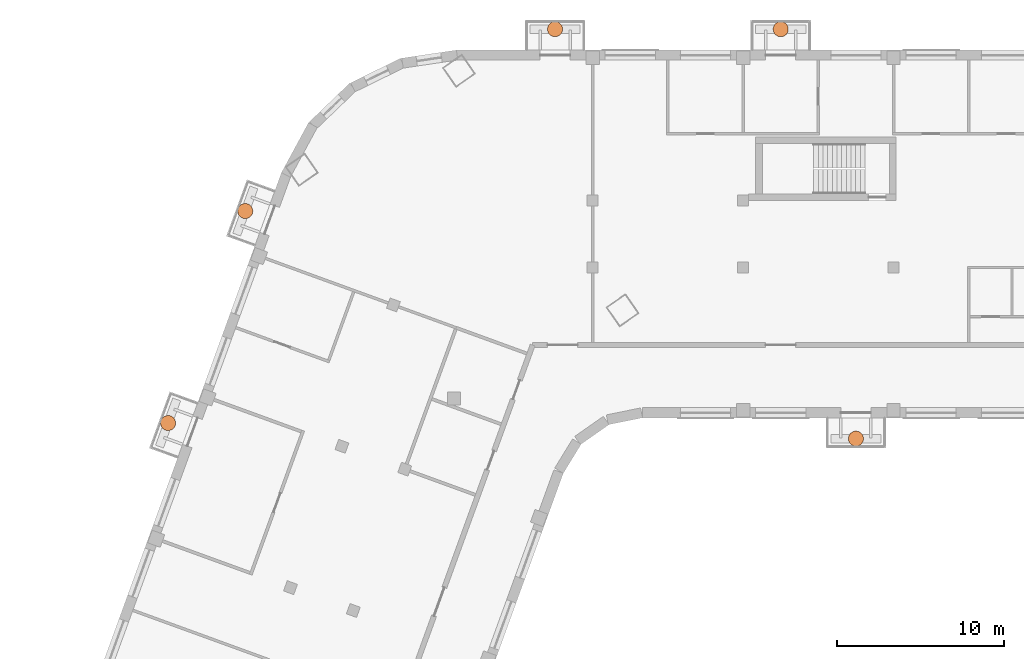
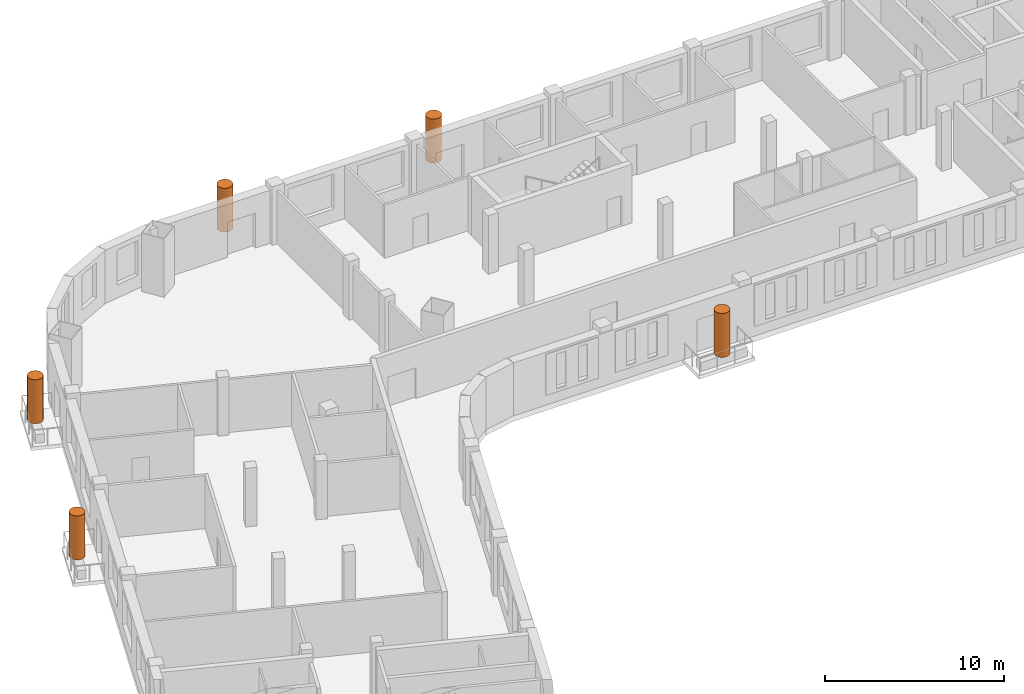
# One storey, part 10 of 10: 5 geographic elements.
"""IFC4 building model written with IfcOpenShell, lengths in metres."""

from ifc_helpers import new_model, si_unit, direction, frame, origin, origin_2d, place, context, subcontext, project, spatial, circle, extrude, element, save


model = new_model("IFC4")

# Units and contexts
model_context = context("Model", 3, precision=1e-05, world=origin(), true_north=direction((0.0, 1.0)))
body_context = subcontext(model_context, "Body", "Model", "MODEL_VIEW")
ifc_project = project(units=[si_unit("LENGTHUNIT", "METRE"), si_unit("AREAUNIT", "SQUARE_METRE"), si_unit("VOLUMEUNIT", "CUBIC_METRE"), si_unit("PLANEANGLEUNIT", "RADIAN"), si_unit("MASSUNIT", "GRAM", prefix="KILO")], contexts=[model_context])

# Site, building, storey
site_placement = place(None, origin())
site = spatial("IfcSite", under=ifc_project, at=site_placement, CompositionType="ELEMENT")
building_placement = place(site_placement, origin())
building = spatial("IfcBuilding", under=site, at=building_placement, Name="Skarvind Civic Tower", CompositionType="ELEMENT")
storey_placement = place(building_placement, frame((0.0, 0.0, 166.5)))
storey = spatial("IfcBuildingStorey", under=building, at=storey_placement, Name="L39", CompositionType="ELEMENT", Elevation=166.5)

# Geographic elements
for number, where, z_axis, x_axis, name in (
    (1, (70.0, 115.75, 0.60009765625), (0.0, 0.0, 1.0), (1.0, 0.0, 0.0), "TREE BALCONY TREE"),
    (2, (52.0, 140.25, 0.60009765625), (0.0, 0.0, 1.0), (1.0, 0.0, 0.0), "TREE BALCONY TREE"),
    (3, (65.5, 140.25, 0.60009765625), (0.0, 0.0, 1.0), (1.0, 0.0, 0.0), "TREE BALCONY TREE"),
    (4, (28.845458984375, 116.684814453125, 0.60009765625), (0.0, 0.0, 1.0), (1.0, 0.0, 0.0), "TREE BALCONY TREE"),
    (5, (33.462646484375, 129.37060546875, 0.60009765625), (0.0, 0.0, 1.0), (1.0, 0.0, 0.0), "TREE BALCONY TREE"),
):
    element("IfcGeographicElement", number, at=place(storey_placement, frame(where, z_axis=z_axis, x_axis=x_axis)), inside=storey, Name=name, ObjectType="TREE", PredefinedType="USERDEFINED", context=body_context, shape_type="SweptSolid", body=[
        extrude(circle(Radius=0.449951171875, at=origin_2d()), origin(), (0.0, 0.0, 1.0), 3.0),
    ])

save(model, "model.ifc")
